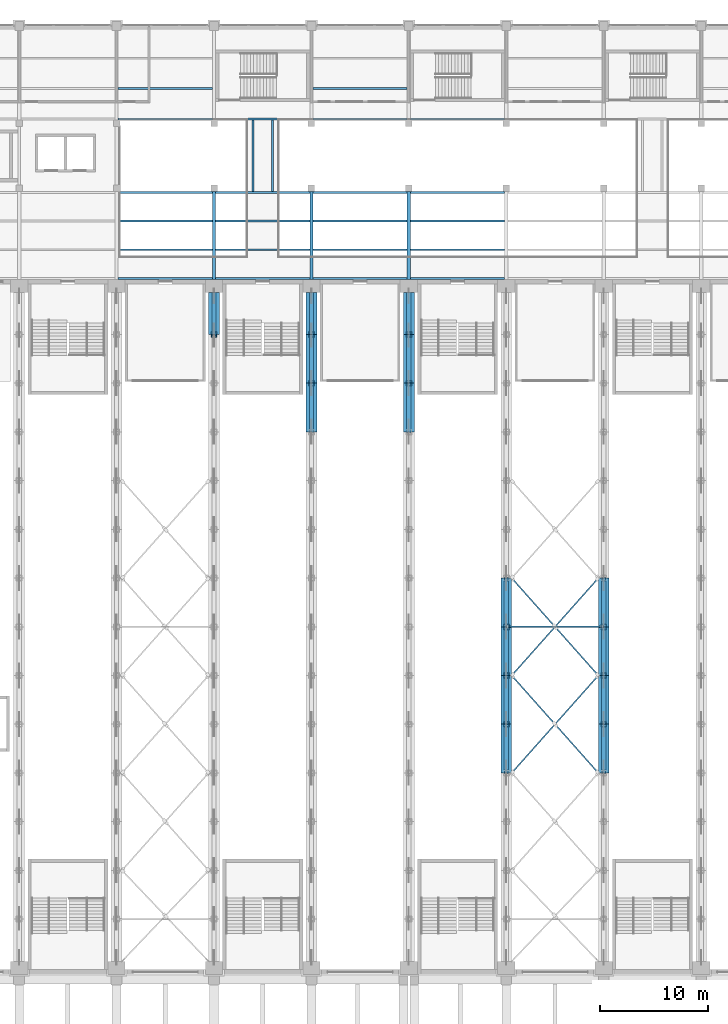
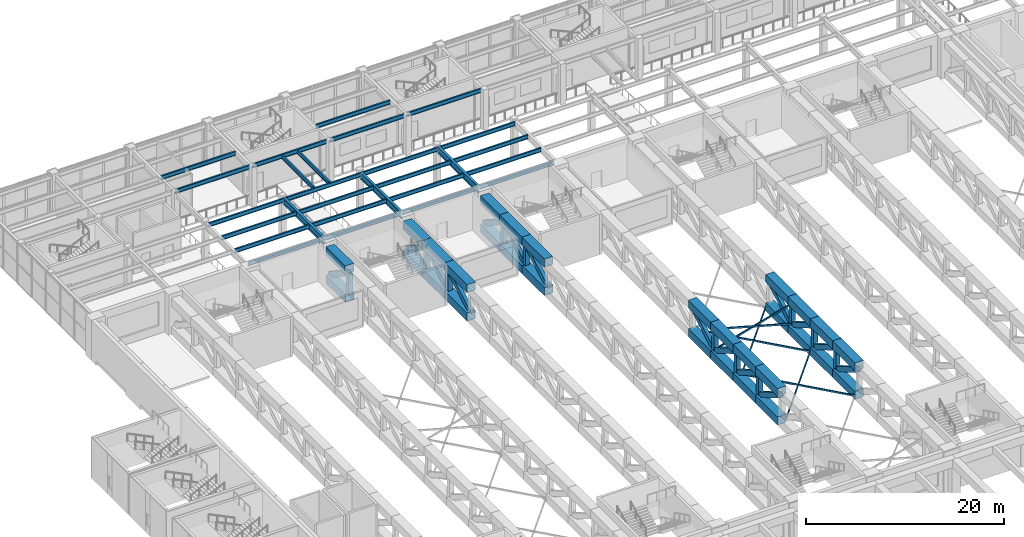
# One storey, part 15 of 76: 65 members, 27 beams.
"""IFC4 building model written with IfcOpenShell, lengths in metres."""

from ifc_helpers import new_model, si_unit, direction, frame, origin, origin_2d, place, context, subcontext, project, spatial, hollow_rectangle, i_section, extrude, material, material_profile, profile_set, type_object, element, save


model = new_model("IFC4")

# Units and contexts
model_context = context("Model", 3, precision=1e-05, world=origin(), true_north=direction((0.0, 1.0)))
body_context = subcontext(model_context, "Body", "Model", "MODEL_VIEW")
ifc_project = project(units=[si_unit("LENGTHUNIT", "METRE"), si_unit("AREAUNIT", "SQUARE_METRE"), si_unit("VOLUMEUNIT", "CUBIC_METRE"), si_unit("PLANEANGLEUNIT", "RADIAN"), si_unit("MASSUNIT", "GRAM", prefix="KILO")], contexts=[model_context])

# Site, building, storey
site_placement = place(None, origin())
site = spatial("IfcSite", under=ifc_project, at=site_placement, CompositionType="ELEMENT")
building_placement = place(site_placement, origin())
building = spatial("IfcBuilding", under=site, at=building_placement, Name="Aravalli Gate Trade Fair Centre", CompositionType="ELEMENT")
storey_placement = place(building_placement, frame((0.0, 0.0, 10.0)))
storey = spatial("IfcBuildingStorey", under=building, at=storey_placement, Name="L02", CompositionType="ELEMENT", Elevation=10.0)

# Members
ifc_material = material(Name="Steel E350", Category="steel")
ifc_material_profile_1 = material_profile(ifc_material, hollow_rectangle(XDim=0.1201171875, YDim=0.199951171875, WallThickness=0.008056640625, at=origin_2d()), Name="RHS 200x120x8")
ifc_profile_set_1 = profile_set([ifc_material_profile_1], Name="Steel E350")
member_type_1 = type_object("IfcMemberType", Name="Cross frame brace RHS 200x120x8", PredefinedType="BRACE", material=ifc_profile_set_1)
member_1_placement = place(storey_placement, frame((60.5, 64.0, 0.5), z_axis=(0.66436383883, 0.747409318684, 0.0), x_axis=(-0.747409318684, 0.66436383883, 0.0)))
element("IfcMember", 1, at=member_1_placement, inside=storey, type_object=member_type_1, Name="FT plan brace bay 7 cell 3A", PredefinedType="BRACE", context=body_context, shape_type="SweptSolid", body=[
    extrude(hollow_rectangle(XDim=0.1201171875, YDim=0.199951171875, WallThickness=0.008056640625, at=origin_2d()), origin(), (0.0, 0.0, 1.0), 12.04150390625),
])
for number, where, z_axis, x_axis, name in (
    (2, (60.5, 73.0, 0.5), (0.66436383883, -0.747409318684, 0.0), (0.747409318684, 0.66436383883, 0.0), "FT plan brace bay 7 cell 3B half 1"),
    (3, (64.5, 68.5, 0.5), (0.66436383883, -0.747409318684, 0.0), (0.747409318684, 0.66436383883, 0.0), "FT plan brace bay 7 cell 3B half 2"),
):
    element("IfcMember", number, at=place(storey_placement, frame(where, z_axis=z_axis, x_axis=x_axis)), inside=storey, type_object=member_type_1, Name=name, PredefinedType="BRACE", context=body_context, shape_type="SweptSolid", body=[
        extrude(hollow_rectangle(XDim=0.1201171875, YDim=0.199951171875, WallThickness=0.008056640625, at=origin_2d()), origin(), (0.0, 0.0, 1.0), 6.020751953125),
    ])
member_2_placement = place(storey_placement, frame((60.5, 73.0, 0.5), z_axis=(0.66436383883, 0.747409318684, 0.0), x_axis=(-0.747409318684, 0.66436383883, 0.0)))
element("IfcMember", 4, at=member_2_placement, inside=storey, type_object=member_type_1, Name="FT plan brace bay 7 cell 4A", PredefinedType="BRACE", context=body_context, shape_type="SweptSolid", body=[
    extrude(hollow_rectangle(XDim=0.1201171875, YDim=0.199951171875, WallThickness=0.008056640625, at=origin_2d()), origin(), (0.0, 0.0, 1.0), 12.04150390625),
])
for number, where, z_axis, x_axis, name in (
    (5, (60.5, 82.0, 0.5), (0.66436383883, -0.747409318684, 0.0), (0.747409318684, 0.66436383883, 0.0), "FT plan brace bay 7 cell 4B half 1"),
    (6, (64.5, 77.5, 0.5), (0.66436383883, -0.747409318684, 0.0), (0.747409318684, 0.66436383883, 0.0), "FT plan brace bay 7 cell 4B half 2"),
):
    element("IfcMember", number, at=place(storey_placement, frame(where, z_axis=z_axis, x_axis=x_axis)), inside=storey, type_object=member_type_1, Name=name, PredefinedType="BRACE", context=body_context, shape_type="SweptSolid", body=[
        extrude(hollow_rectangle(XDim=0.1201171875, YDim=0.199951171875, WallThickness=0.008056640625, at=origin_2d()), origin(), (0.0, 0.0, 1.0), 6.020751953125),
    ])
member_3_placement = place(storey_placement, frame((60.0, 77.5, 1.0), z_axis=(0.96351790963, 0.0, 0.267643863786), x_axis=(0.0, 1.0, 0.0)))
element("IfcMember", 7, at=member_3_placement, inside=storey, type_object=member_type_1, Name="FT vertical brace bay 7 frame 2A", PredefinedType="BRACE", context=body_context, shape_type="SweptSolid", body=[
    extrude(hollow_rectangle(XDim=0.1201171875, YDim=0.199951171875, WallThickness=0.008056640625, at=origin_2d()), origin(), (0.0, 0.0, 1.0), 9.3408203125),
])
for number, where, z_axis, x_axis, name in (
    (8, (60.0, 77.5, 3.5), (0.96351790963, 0.0, -0.267643863786), (0.0, 1.0, 0.0), "FT vertical brace bay 7 frame 2B half 1"),
    (9, (64.5, 77.5, 2.25), (0.96351790963, 0.0, -0.267643863786), (0.0, 1.0, 0.0), "FT vertical brace bay 7 frame 2B half 2"),
):
    element("IfcMember", number, at=place(storey_placement, frame(where, z_axis=z_axis, x_axis=x_axis)), inside=storey, type_object=member_type_1, Name=name, PredefinedType="BRACE", context=body_context, shape_type="SweptSolid", body=[
        extrude(hollow_rectangle(XDim=0.1201171875, YDim=0.199951171875, WallThickness=0.008056640625, at=origin_2d()), origin(), (0.0, 0.0, 1.0), 4.67041015625),
    ])
ifc_material_profile_2 = material_profile(ifc_material, hollow_rectangle(XDim=1.0, YDim=1.0, WallThickness=0.050048828125, at=origin_2d()), Name="BOX 1000x1000x50")
ifc_profile_set_2 = profile_set([ifc_material_profile_2], Name="Steel E350")
member_type_2 = type_object("IfcMemberType", Name="FT1 chord BOX 1000x1000x50", PredefinedType="CHORD", material=ifc_profile_set_2)
for number, where, z_axis, x_axis, name in (
    (10, (33.0, 104.5, 0.5), (0.0, 1.0, 0.0), (-1.0, 0.0, 0.0), "FT1 line 4 bottom chord 14"),
    (11, (33.0, 104.5, 4.0), (0.0, 1.0, 0.0), (-1.0, 0.0, 0.0), "FT1 line 4 top chord 14"),
):
    element("IfcMember", number, at=place(storey_placement, frame(where, z_axis=z_axis, x_axis=x_axis)), inside=storey, type_object=member_type_2, Name=name, PredefinedType="CHORD", context=body_context, shape_type="SweptSolid", body=[
        extrude(hollow_rectangle(XDim=1.0, YDim=1.0, WallThickness=0.050048828125, at=origin_2d()), origin(), (0.0, 0.0, 1.0), 3.89990234375),
    ])
for number, where, z_axis, x_axis, name in (
    (12, (42.0, 95.5, 0.5), (0.0, 1.0, 0.0), (-1.0, 0.0, 0.0), "FT1 line 5 bottom chord 12"),
    (13, (42.0, 95.5, 4.0), (0.0, 1.0, 0.0), (-1.0, 0.0, 0.0), "FT1 line 5 top chord 12"),
    (14, (42.0, 100.0, 0.5), (0.0, 1.0, 0.0), (-1.0, 0.0, 0.0), "FT1 line 5 bottom chord 13"),
    (15, (42.0, 100.0, 4.0), (0.0, 1.0, 0.0), (-1.0, 0.0, 0.0), "FT1 line 5 top chord 13"),
):
    element("IfcMember", number, at=place(storey_placement, frame(where, z_axis=z_axis, x_axis=x_axis)), inside=storey, type_object=member_type_2, Name=name, PredefinedType="CHORD", context=body_context, shape_type="SweptSolid", body=[
        extrude(hollow_rectangle(XDim=1.0, YDim=1.0, WallThickness=0.050048828125, at=origin_2d()), origin(), (0.0, 0.0, 1.0), 4.5),
    ])
for number, where, z_axis, x_axis, name in (
    (16, (42.0, 104.5, 0.5), (0.0, 1.0, 0.0), (-1.0, 0.0, 0.0), "FT1 line 5 bottom chord 14"),
    (17, (42.0, 104.5, 4.0), (0.0, 1.0, 0.0), (-1.0, 0.0, 0.0), "FT1 line 5 top chord 14"),
):
    element("IfcMember", number, at=place(storey_placement, frame(where, z_axis=z_axis, x_axis=x_axis)), inside=storey, type_object=member_type_2, Name=name, PredefinedType="CHORD", context=body_context, shape_type="SweptSolid", body=[
        extrude(hollow_rectangle(XDim=1.0, YDim=1.0, WallThickness=0.050048828125, at=origin_2d()), origin(), (0.0, 0.0, 1.0), 3.89990234375),
    ])
for number, where, z_axis, x_axis, name in (
    (18, (51.0, 95.5, 0.5), (0.0, 1.0, 0.0), (-1.0, 0.0, 0.0), "FT1 line 6 bottom chord 12"),
    (19, (51.0, 95.5, 4.0), (0.0, 1.0, 0.0), (-1.0, 0.0, 0.0), "FT1 line 6 top chord 12"),
    (20, (51.0, 100.0, 0.5), (0.0, 1.0, 0.0), (-1.0, 0.0, 0.0), "FT1 line 6 bottom chord 13"),
    (21, (51.0, 100.0, 4.0), (0.0, 1.0, 0.0), (-1.0, 0.0, 0.0), "FT1 line 6 top chord 13"),
):
    element("IfcMember", number, at=place(storey_placement, frame(where, z_axis=z_axis, x_axis=x_axis)), inside=storey, type_object=member_type_2, Name=name, PredefinedType="CHORD", context=body_context, shape_type="SweptSolid", body=[
        extrude(hollow_rectangle(XDim=1.0, YDim=1.0, WallThickness=0.050048828125, at=origin_2d()), origin(), (0.0, 0.0, 1.0), 4.5),
    ])
for number, where, z_axis, x_axis, name in (
    (22, (51.0, 104.5, 0.5), (0.0, 1.0, 0.0), (-1.0, 0.0, 0.0), "FT1 line 6 bottom chord 14"),
    (23, (51.0, 104.5, 4.0), (0.0, 1.0, 0.0), (-1.0, 0.0, 0.0), "FT1 line 6 top chord 14"),
):
    element("IfcMember", number, at=place(storey_placement, frame(where, z_axis=z_axis, x_axis=x_axis)), inside=storey, type_object=member_type_2, Name=name, PredefinedType="CHORD", context=body_context, shape_type="SweptSolid", body=[
        extrude(hollow_rectangle(XDim=1.0, YDim=1.0, WallThickness=0.050048828125, at=origin_2d()), origin(), (0.0, 0.0, 1.0), 3.89990234375),
    ])
for number, where, z_axis, x_axis, name in (
    (24, (60.0, 64.0, 0.5), (0.0, 1.0, 0.0), (-1.0, 0.0, 0.0), "FT1 line 7 bottom chord 5"),
    (25, (60.0, 64.0, 4.0), (0.0, 1.0, 0.0), (-1.0, 0.0, 0.0), "FT1 line 7 top chord 5"),
    (26, (60.0, 68.5, 0.5), (0.0, 1.0, 0.0), (-1.0, 0.0, 0.0), "FT1 line 7 bottom chord 6"),
    (27, (60.0, 68.5, 4.0), (0.0, 1.0, 0.0), (-1.0, 0.0, 0.0), "FT1 line 7 top chord 6"),
    (28, (60.0, 73.0, 0.5), (0.0, 1.0, 0.0), (-1.0, 0.0, 0.0), "FT1 line 7 bottom chord 7"),
    (29, (60.0, 73.0, 4.0), (0.0, 1.0, 0.0), (-1.0, 0.0, 0.0), "FT1 line 7 top chord 7"),
    (30, (60.0, 77.5, 0.5), (0.0, 1.0, 0.0), (-1.0, 0.0, 0.0), "FT1 line 7 bottom chord 8"),
    (31, (60.0, 77.5, 4.0), (0.0, 1.0, 0.0), (-1.0, 0.0, 0.0), "FT1 line 7 top chord 8"),
    (32, (69.0, 64.0, 0.5), (0.0, 1.0, 0.0), (-1.0, 0.0, 0.0), "FT1 line 8 bottom chord 5"),
    (33, (69.0, 64.0, 4.0), (0.0, 1.0, 0.0), (-1.0, 0.0, 0.0), "FT1 line 8 top chord 5"),
    (34, (69.0, 68.5, 0.5), (0.0, 1.0, 0.0), (-1.0, 0.0, 0.0), "FT1 line 8 bottom chord 6"),
    (35, (69.0, 68.5, 4.0), (0.0, 1.0, 0.0), (-1.0, 0.0, 0.0), "FT1 line 8 top chord 6"),
    (36, (69.0, 73.0, 0.5), (0.0, 1.0, 0.0), (-1.0, 0.0, 0.0), "FT1 line 8 bottom chord 7"),
    (37, (69.0, 73.0, 4.0), (0.0, 1.0, 0.0), (-1.0, 0.0, 0.0), "FT1 line 8 top chord 7"),
    (38, (69.0, 77.5, 0.5), (0.0, 1.0, 0.0), (-1.0, 0.0, 0.0), "FT1 line 8 bottom chord 8"),
    (39, (69.0, 77.5, 4.0), (0.0, 1.0, 0.0), (-1.0, 0.0, 0.0), "FT1 line 8 top chord 8"),
):
    element("IfcMember", number, at=place(storey_placement, frame(where, z_axis=z_axis, x_axis=x_axis)), inside=storey, type_object=member_type_2, Name=name, PredefinedType="CHORD", context=body_context, shape_type="SweptSolid", body=[
        extrude(hollow_rectangle(XDim=1.0, YDim=1.0, WallThickness=0.050048828125, at=origin_2d()), origin(), (0.0, 0.0, 1.0), 4.5),
    ])
ifc_material_profile_3 = material_profile(ifc_material, hollow_rectangle(XDim=0.39990234375, YDim=0.60009765625, WallThickness=0.030029296875, at=origin_2d()), Name="RHS 600x400x30")
ifc_profile_set_3 = profile_set([ifc_material_profile_3], Name="Steel E350")
member_type_3 = type_object("IfcMemberType", Name="FT1 diagonal RHS 600x400x30", PredefinedType="BRACE", material=ifc_profile_set_3)
member_4_placement = place(storey_placement, frame((33.0, 108.39990234375, 1.0), z_axis=(0.0, -0.841872999265, 0.53967569253), x_axis=(1.0, 0.0, 0.0)))
element("IfcMember", 40, at=member_4_placement, inside=storey, type_object=member_type_3, Name="FT1 line 4 diagonal 14", PredefinedType="BRACE", context=body_context, shape_type="SweptSolid", body=[
    extrude(hollow_rectangle(XDim=0.39990234375, YDim=0.60009765625, WallThickness=0.030029296875, at=origin_2d()), origin(), (0.0, 0.0, 1.0), 4.63232421875),
])
for number, where, z_axis, x_axis, name in (
    (41, (42.0, 99.89501953125, 3.5), (0.0, -0.863999951417, -0.503491890651), (1.0, 0.0, 0.0), "FT1 line 5 diagonal 12"),
    (42, (42.0, 104.39501953125, 3.5), (0.0, -0.863999951417, -0.503491890651), (1.0, 0.0, 0.0), "FT1 line 5 diagonal 13"),
):
    element("IfcMember", number, at=place(storey_placement, frame(where, z_axis=z_axis, x_axis=x_axis)), inside=storey, type_object=member_type_3, Name=name, PredefinedType="BRACE", context=body_context, shape_type="SweptSolid", body=[
        extrude(hollow_rectangle(XDim=0.39990234375, YDim=0.60009765625, WallThickness=0.030029296875, at=origin_2d()), origin(), (0.0, 0.0, 1.0), 4.96533203125),
    ])
member_5_placement = place(storey_placement, frame((42.0, 108.39990234375, 1.0), z_axis=(0.0, -0.841872999265, 0.53967569253), x_axis=(1.0, 0.0, 0.0)))
element("IfcMember", 43, at=member_5_placement, inside=storey, type_object=member_type_3, Name="FT1 line 5 diagonal 14", PredefinedType="BRACE", context=body_context, shape_type="SweptSolid", body=[
    extrude(hollow_rectangle(XDim=0.39990234375, YDim=0.60009765625, WallThickness=0.030029296875, at=origin_2d()), origin(), (0.0, 0.0, 1.0), 4.63232421875),
])
for number, where, z_axis, x_axis, name in (
    (44, (51.0, 99.89501953125, 3.5), (0.0, -0.863999951417, -0.503491890651), (1.0, 0.0, 0.0), "FT1 line 6 diagonal 12"),
    (45, (51.0, 104.39501953125, 3.5), (0.0, -0.863999951417, -0.503491890651), (1.0, 0.0, 0.0), "FT1 line 6 diagonal 13"),
):
    element("IfcMember", number, at=place(storey_placement, frame(where, z_axis=z_axis, x_axis=x_axis)), inside=storey, type_object=member_type_3, Name=name, PredefinedType="BRACE", context=body_context, shape_type="SweptSolid", body=[
        extrude(hollow_rectangle(XDim=0.39990234375, YDim=0.60009765625, WallThickness=0.030029296875, at=origin_2d()), origin(), (0.0, 0.0, 1.0), 4.96533203125),
    ])
member_6_placement = place(storey_placement, frame((51.0, 108.39990234375, 1.0), z_axis=(0.0, -0.841872999265, 0.53967569253), x_axis=(1.0, 0.0, 0.0)))
element("IfcMember", 46, at=member_6_placement, inside=storey, type_object=member_type_3, Name="FT1 line 6 diagonal 14", PredefinedType="BRACE", context=body_context, shape_type="SweptSolid", body=[
    extrude(hollow_rectangle(XDim=0.39990234375, YDim=0.60009765625, WallThickness=0.030029296875, at=origin_2d()), origin(), (0.0, 0.0, 1.0), 4.63232421875),
])
for number, where, z_axis, x_axis, name in (
    (47, (60.0, 64.10498046875, 3.5), (0.0, 0.863999951417, -0.503491890651), (-1.0, 0.0, 0.0), "FT1 line 7 diagonal 5"),
    (48, (60.0, 68.60498046875, 3.5), (0.0, 0.863999951417, -0.503491890651), (-1.0, 0.0, 0.0), "FT1 line 7 diagonal 6"),
    (49, (60.0, 73.10498046875, 3.5), (0.0, 0.863999951417, -0.503491890651), (-1.0, 0.0, 0.0), "FT1 line 7 diagonal 7"),
    (50, (60.0, 81.89501953125, 3.5), (0.0, -0.863999951417, -0.503491890651), (1.0, 0.0, 0.0), "FT1 line 7 diagonal 8"),
    (51, (69.0, 64.10498046875, 3.5), (0.0, 0.863999951417, -0.503491890651), (-1.0, 0.0, 0.0), "FT1 line 8 diagonal 5"),
    (52, (69.0, 68.60498046875, 3.5), (0.0, 0.863999951417, -0.503491890651), (-1.0, 0.0, 0.0), "FT1 line 8 diagonal 6"),
    (53, (69.0, 73.10498046875, 3.5), (0.0, 0.863999951417, -0.503491890651), (-1.0, 0.0, 0.0), "FT1 line 8 diagonal 7"),
    (54, (69.0, 81.89501953125, 3.5), (0.0, -0.863999951417, -0.503491890651), (1.0, 0.0, 0.0), "FT1 line 8 diagonal 8"),
):
    element("IfcMember", number, at=place(storey_placement, frame(where, z_axis=z_axis, x_axis=x_axis)), inside=storey, type_object=member_type_3, Name=name, PredefinedType="BRACE", context=body_context, shape_type="SweptSolid", body=[
        extrude(hollow_rectangle(XDim=0.39990234375, YDim=0.60009765625, WallThickness=0.030029296875, at=origin_2d()), origin(), (0.0, 0.0, 1.0), 4.96533203125),
    ])
ifc_material_profile_4 = material_profile(ifc_material, hollow_rectangle(XDim=0.5, YDim=0.5, WallThickness=0.02490234375, at=origin_2d()), Name="BOX 500x500x25")
ifc_profile_set_4 = profile_set([ifc_material_profile_4], Name="Steel E350")
member_type_4 = type_object("IfcMemberType", Name="FT1 post BOX 500x500x25", PredefinedType="POST", material=ifc_profile_set_4)
for number, where, z_axis, x_axis, name in (
    (55, (33.0, 104.5, 1.0), (0.0, 0.0, 1.0), (1.0, 0.0, 0.0), "FT1 line 4 post 13"),
    (56, (42.0, 100.0, 1.0), (0.0, 0.0, 1.0), (1.0, 0.0, 0.0), "FT1 line 5 post 12"),
    (57, (42.0, 104.5, 1.0), (0.0, 0.0, 1.0), (1.0, 0.0, 0.0), "FT1 line 5 post 13"),
    (58, (51.0, 100.0, 1.0), (0.0, 0.0, 1.0), (1.0, 0.0, 0.0), "FT1 line 6 post 12"),
    (59, (51.0, 104.5, 1.0), (0.0, 0.0, 1.0), (1.0, 0.0, 0.0), "FT1 line 6 post 13"),
    (60, (60.0, 68.5, 1.0), (0.0, 0.0, 1.0), (1.0, 0.0, 0.0), "FT1 line 7 post 5"),
    (61, (60.0, 73.0, 1.0), (0.0, 0.0, 1.0), (1.0, 0.0, 0.0), "FT1 line 7 post 6"),
    (62, (60.0, 77.5, 1.0), (0.0, 0.0, 1.0), (1.0, 0.0, 0.0), "FT1 line 7 post 7"),
    (63, (69.0, 68.5, 1.0), (0.0, 0.0, 1.0), (1.0, 0.0, 0.0), "FT1 line 8 post 5"),
    (64, (69.0, 73.0, 1.0), (0.0, 0.0, 1.0), (1.0, 0.0, 0.0), "FT1 line 8 post 6"),
    (65, (69.0, 77.5, 1.0), (0.0, 0.0, 1.0), (1.0, 0.0, 0.0), "FT1 line 8 post 7"),
):
    element("IfcMember", number, at=place(storey_placement, frame(where, z_axis=z_axis, x_axis=x_axis)), inside=storey, type_object=member_type_4, Name=name, PredefinedType="POST", context=body_context, shape_type="SweptSolid", body=[
        extrude(hollow_rectangle(XDim=0.5, YDim=0.5, WallThickness=0.02490234375, at=origin_2d()), origin(), (0.0, 0.0, 1.0), 2.5),
    ])

# Beams
ifc_material_profile_5 = material_profile(ifc_material, i_section(OverallWidth=0.179931640625, OverallDepth=0.5, WebThickness=0.01025390625, FlangeThickness=0.01708984375, at=origin_2d()), Name="ISMB 500")
ifc_profile_set_5 = profile_set([ifc_material_profile_5], Name="Steel E350")
beam_type_1 = type_object("IfcBeamType", Name="ISMB 500 gallery secondary beam", PredefinedType="JOIST", material=ifc_profile_set_5)
for number, where, z_axis, x_axis, name in (
    (66, (24.14990234375, 109.68994140625, 4.550048828125), (1.0, 0.0, 0.0), (0.0, 1.0, 0.0), "Gallery beam S0 03-04 L03"),
    (67, (24.14990234375, 112.330078125, 4.550048828125), (1.0, 0.0, 0.0), (0.0, 1.0, 0.0), "Gallery beam S1 03-04 L03"),
    (68, (24.14990234375, 114.969970703125, 4.550048828125), (1.0, 0.0, 0.0), (0.0, 1.0, 0.0), "Gallery beam S2 03-04 L03"),
    (69, (24.14990234375, 117.610107421875, 4.550048828125), (1.0, 0.0, 0.0), (0.0, 1.0, 0.0), "Gallery beam S3 03-04 L03"),
    (70, (24.14990234375, 124.389892578125, 4.550048828125), (1.0, 0.0, 0.0), (0.0, 1.0, 0.0), "Gallery beam N4 03-04 L03"),
    (71, (24.14990234375, 127.203369140625, 4.550048828125), (1.0, 0.0, 0.0), (0.0, 1.0, 0.0), "Gallery beam N5 03-04 L03"),
    (72, (33.14990234375, 109.68994140625, 4.550048828125), (1.0, 0.0, 0.0), (0.0, 1.0, 0.0), "Gallery beam S0 04-05 L03"),
    (73, (33.14990234375, 112.330078125, 4.550048828125), (1.0, 0.0, 0.0), (0.0, 1.0, 0.0), "Gallery beam S1 04-05 L03"),
    (74, (33.14990234375, 114.969970703125, 4.550048828125), (1.0, 0.0, 0.0), (0.0, 1.0, 0.0), "Gallery beam S2 04-05 L03"),
    (75, (33.14990234375, 117.610107421875, 4.550048828125), (1.0, 0.0, 0.0), (0.0, 1.0, 0.0), "Gallery beam S3 04-05 L03"),
    (76, (33.14990234375, 124.389892578125, 4.550048828125), (1.0, 0.0, 0.0), (0.0, 1.0, 0.0), "Gallery beam N4 04-05 L03"),
    (77, (42.14990234375, 109.68994140625, 4.550048828125), (1.0, 0.0, 0.0), (0.0, 1.0, 0.0), "Gallery beam S0 05-06 L03"),
    (78, (42.14990234375, 112.330078125, 4.550048828125), (1.0, 0.0, 0.0), (0.0, 1.0, 0.0), "Gallery beam S1 05-06 L03"),
    (79, (42.14990234375, 114.969970703125, 4.550048828125), (1.0, 0.0, 0.0), (0.0, 1.0, 0.0), "Gallery beam S2 05-06 L03"),
    (80, (42.14990234375, 117.610107421875, 4.550048828125), (1.0, 0.0, 0.0), (0.0, 1.0, 0.0), "Gallery beam S3 05-06 L03"),
    (81, (42.14990234375, 124.389892578125, 4.550048828125), (1.0, 0.0, 0.0), (0.0, 1.0, 0.0), "Gallery beam N4 05-06 L03"),
    (82, (42.14990234375, 127.203369140625, 4.550048828125), (1.0, 0.0, 0.0), (0.0, 1.0, 0.0), "Gallery beam N5 05-06 L03"),
    (83, (51.14990234375, 109.68994140625, 4.550048828125), (1.0, 0.0, 0.0), (0.0, 1.0, 0.0), "Gallery beam S0 06-07 L03"),
    (84, (51.14990234375, 112.330078125, 4.550048828125), (1.0, 0.0, 0.0), (0.0, 1.0, 0.0), "Gallery beam S1 06-07 L03"),
    (85, (51.14990234375, 114.969970703125, 4.550048828125), (1.0, 0.0, 0.0), (0.0, 1.0, 0.0), "Gallery beam S2 06-07 L03"),
    (86, (51.14990234375, 117.610107421875, 4.550048828125), (1.0, 0.0, 0.0), (0.0, 1.0, 0.0), "Gallery beam S3 06-07 L03"),
    (87, (51.14990234375, 124.389892578125, 4.550048828125), (1.0, 0.0, 0.0), (0.0, 1.0, 0.0), "Gallery beam N4 06-07 L03"),
):
    element("IfcBeam", number, at=place(storey_placement, frame(where, z_axis=z_axis, x_axis=x_axis)), inside=storey, type_object=beam_type_1, Name=name, PredefinedType="JOIST", context=body_context, shape_type="SweptSolid", body=[
        extrude(i_section(OverallWidth=0.179931640625, OverallDepth=0.5, WebThickness=0.01025390625, FlangeThickness=0.01708984375, at=origin_2d()), origin(), (0.0, 0.0, 1.0), 8.7001953125),
    ])
for number, where, z_axis, x_axis, name in (
    (88, (36.60009765625, 117.699951171875, 4.550048828125), (0.0, 1.0, 0.0), (-1.0, 0.0, 0.0), "Bridge beam 1.1 L03"),
    (89, (38.39990234375, 117.699951171875, 4.550048828125), (0.0, 1.0, 0.0), (-1.0, 0.0, 0.0), "Bridge beam 1.2 L03"),
):
    element("IfcBeam", number, at=place(storey_placement, frame(where, z_axis=z_axis, x_axis=x_axis)), inside=storey, type_object=beam_type_1, Name=name, PredefinedType="JOIST", context=body_context, shape_type="SweptSolid", body=[
        extrude(i_section(OverallWidth=0.179931640625, OverallDepth=0.5, WebThickness=0.01025390625, FlangeThickness=0.01708984375, at=origin_2d()), origin(), (0.0, 0.0, 1.0), 6.60009765625),
    ])
ifc_material_profile_6 = material_profile(ifc_material, i_section(OverallWidth=0.300048828125, OverallDepth=0.800048828125, WebThickness=0.011962890625, FlangeThickness=0.02490234375, at=origin_2d()), Name="PG 800x300x12x25")
ifc_profile_set_6 = profile_set([ifc_material_profile_6], Name="Steel E350")
beam_type_2 = type_object("IfcBeamType", Name="PG 800x300x12x25 gallery plate girder", PredefinedType="BEAM", material=ifc_profile_set_6)
for number, where, z_axis, x_axis, name in (
    (90, (33.0, 109.60009765625, 4.39990234375), (0.0, 1.0, 0.0), (-1.0, 0.0, 0.0), "Gallery girder S04 L03"),
    (91, (42.0, 109.60009765625, 4.39990234375), (0.0, 1.0, 0.0), (-1.0, 0.0, 0.0), "Gallery girder S05 L03"),
    (92, (51.0, 109.60009765625, 4.39990234375), (0.0, 1.0, 0.0), (-1.0, 0.0, 0.0), "Gallery girder S06 L03"),
):
    element("IfcBeam", number, at=place(storey_placement, frame(where, z_axis=z_axis, x_axis=x_axis)), inside=storey, type_object=beam_type_2, Name=name, PredefinedType="BEAM", context=body_context, shape_type="SweptSolid", body=[
        extrude(i_section(OverallWidth=0.300048828125, OverallDepth=0.800048828125, WebThickness=0.011962890625, FlangeThickness=0.02490234375, at=origin_2d()), origin(), (0.0, 0.0, 1.0), 8.099853515625),
    ])

save(model, "model.ifc")
